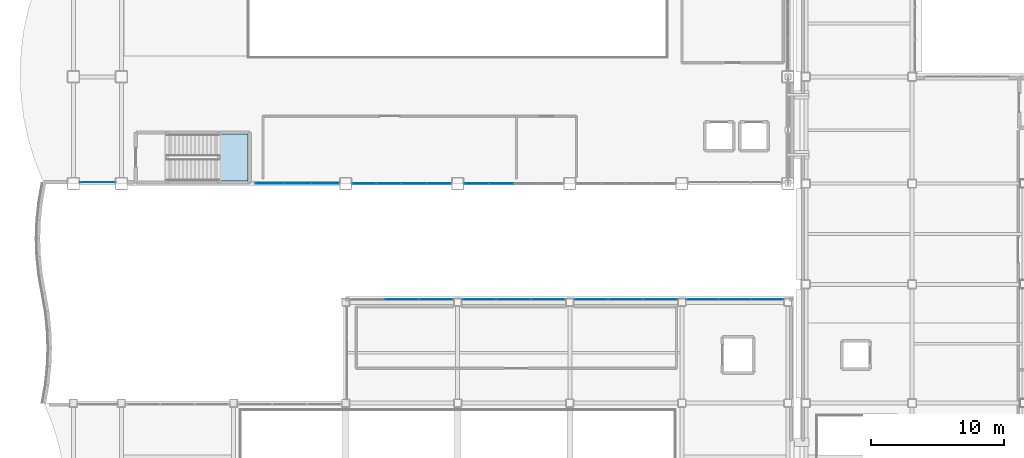
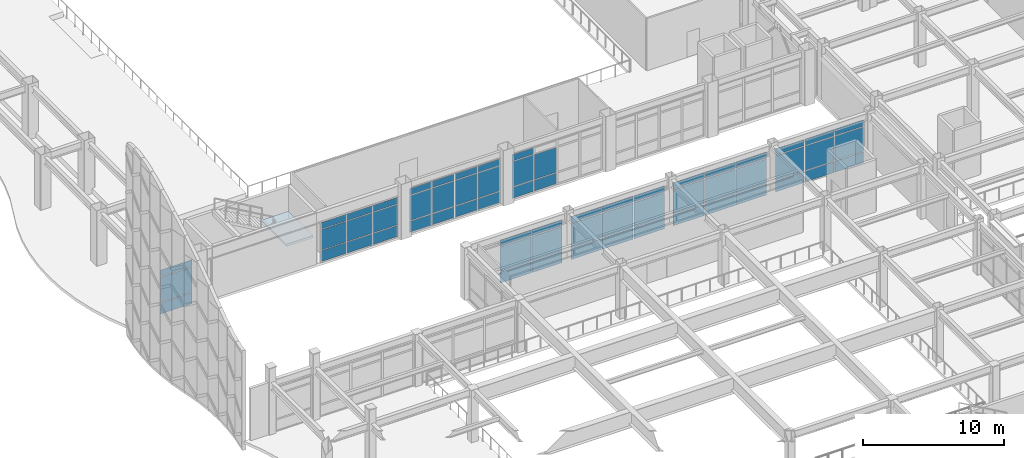
# One storey, part 125 of 172: 62 plates, 1 slab, 9 elements without a shape of their own.
"""IFC4 building model written with IfcOpenShell, lengths in metres."""

from ifc_helpers import new_model, si_unit, direction, frame, origin, origin_2d, place, context, subcontext, project, spatial, polyline, rectangle, outline, extrude, material, layer, layer_set, type_object, element, aggregate, save


model = new_model("IFC4")

# Units and contexts
model_context = context("Model", 3, precision=1e-05, world=origin(), true_north=direction((0.0, 1.0)))
body_context = subcontext(model_context, "Body", "Model", "MODEL_VIEW")
ifc_project = project(units=[si_unit("LENGTHUNIT", "METRE"), si_unit("AREAUNIT", "SQUARE_METRE"), si_unit("VOLUMEUNIT", "CUBIC_METRE"), si_unit("PLANEANGLEUNIT", "RADIAN"), si_unit("MASSUNIT", "GRAM", prefix="KILO")], contexts=[model_context])

# Site, building, storey
site_placement = place(None, origin())
site = spatial("IfcSite", under=ifc_project, at=site_placement, CompositionType="ELEMENT")
building_placement = place(site_placement, origin())
building = spatial("IfcBuilding", under=site, at=building_placement, Name="Kazehara Bluff Congress Hotel", CompositionType="ELEMENT")
storey_placement = place(building_placement, frame((0.0, 0.0, 5.39990234375)))
storey = spatial("IfcBuildingStorey", under=building, at=storey_placement, Name="L01", CompositionType="ELEMENT", Elevation=5.39990234375)

# Curtain wall, plates
ifc_material_1 = material(Name="Anodised aluminium", Category="aluminium")
ifc_layer_1 = layer(ifc_material_1, 0.159912109375)
ifc_layer_set_1 = layer_set([ifc_layer_1], Name="Anodised aluminium")
curtain_wall_type_1 = type_object("IfcCurtainWallType", Name="TP-CW-12", PredefinedType="NOTDEFINED", material=ifc_layer_set_1)
curtain_wall_1_placement = place(storey_placement, origin())
curtain_wall_1 = element("IfcCurtainWall", 1, at=curtain_wall_1_placement, inside=storey, type_object=curtain_wall_type_1, Name="L01 curtain wall CW-12 CW-V1-L01-Y4845-1840", PredefinedType="NOTDEFINED")
ifc_material_2 = material(Name="Insulated low-E double glazing", Category="glass")
ifc_layer_2 = layer(ifc_material_2, 0.028076171875)
ifc_layer_set_2 = layer_set([ifc_layer_2], Name="Insulated low-E double glazing")
plate_type_1 = type_object("IfcPlateType", Name="TP-CWP-01", PredefinedType="CURTAIN_PANEL", material=ifc_layer_set_2)
plate_1_placement = place(storey_placement, frame((19.473388671875, 48.449951171875, 0.06005859375), z_axis=(0.0, 0.0, 1.0), x_axis=(1.0, 0.0, 0.0)))
plate_1 = element("IfcPlate", 2, at=plate_1_placement, type_object=plate_type_1, Name="CW-12 panel 1.1", PredefinedType="CURTAIN_PANEL", context=body_context, shape_type="SweptSolid", body=[
    extrude(rectangle(XDim=2.026611328125, YDim=0.028076171875, at=origin_2d()), origin(), (0.0, 0.0, 1.0), 0.9599609375),
])
plate_2_placement = place(storey_placement, frame((19.473388671875, 48.449951171875, 1.080078125), z_axis=(0.0, 0.0, 1.0), x_axis=(1.0, 0.0, 0.0)))
plate_2 = element("IfcPlate", 3, at=plate_2_placement, type_object=plate_type_1, Name="CW-12 panel 1.2", PredefinedType="CURTAIN_PANEL", context=body_context, shape_type="SweptSolid", body=[
    extrude(rectangle(XDim=2.026611328125, YDim=0.028076171875, at=origin_2d()), origin(), (0.0, 0.0, 1.0), 1.764892578125),
])
plate_3_placement = place(storey_placement, frame((19.473388671875, 48.449951171875, 2.905029296875), z_axis=(0.0, 0.0, 1.0), x_axis=(1.0, 0.0, 0.0)))
plate_3 = element("IfcPlate", 4, at=plate_3_placement, type_object=plate_type_1, Name="CW-12 panel 1.3", PredefinedType="CURTAIN_PANEL", context=body_context, shape_type="SweptSolid", body=[
    extrude(rectangle(XDim=2.026611328125, YDim=0.028076171875, at=origin_2d()), origin(), (0.0, 0.0, 1.0), 0.56005859375),
])
plate_4_placement = place(storey_placement, frame((21.574951171875, 48.449951171875, 0.06005859375), z_axis=(0.0, 0.0, 1.0), x_axis=(1.0, 0.0, 0.0)))
plate_4 = element("IfcPlate", 5, at=plate_4_placement, type_object=plate_type_1, Name="CW-12 panel 2.1", PredefinedType="CURTAIN_PANEL", context=body_context, shape_type="SweptSolid", body=[
    extrude(rectangle(XDim=2.056640625, YDim=0.028076171875, at=origin_2d()), origin(), (0.0, 0.0, 1.0), 0.9599609375),
])
plate_5_placement = place(storey_placement, frame((21.574951171875, 48.449951171875, 1.080078125), z_axis=(0.0, 0.0, 1.0), x_axis=(1.0, 0.0, 0.0)))
plate_5 = element("IfcPlate", 6, at=plate_5_placement, type_object=plate_type_1, Name="CW-12 panel 2.2", PredefinedType="CURTAIN_PANEL", context=body_context, shape_type="SweptSolid", body=[
    extrude(rectangle(XDim=2.056640625, YDim=0.028076171875, at=origin_2d()), origin(), (0.0, 0.0, 1.0), 1.764892578125),
])
plate_6_placement = place(storey_placement, frame((21.574951171875, 48.449951171875, 2.905029296875), z_axis=(0.0, 0.0, 1.0), x_axis=(1.0, 0.0, 0.0)))
plate_6 = element("IfcPlate", 7, at=plate_6_placement, type_object=plate_type_1, Name="CW-12 panel 2.3", PredefinedType="CURTAIN_PANEL", context=body_context, shape_type="SweptSolid", body=[
    extrude(rectangle(XDim=2.056640625, YDim=0.028076171875, at=origin_2d()), origin(), (0.0, 0.0, 1.0), 0.56005859375),
])
plate_7_placement = place(storey_placement, frame((23.6767578125, 48.449951171875, 0.06005859375), z_axis=(0.0, 0.0, 1.0), x_axis=(1.0, 0.0, 0.0)))
plate_7 = element("IfcPlate", 8, at=plate_7_placement, type_object=plate_type_1, Name="CW-12 panel 3.1", PredefinedType="CURTAIN_PANEL", context=body_context, shape_type="SweptSolid", body=[
    extrude(rectangle(XDim=2.026611328125, YDim=0.028076171875, at=origin_2d()), origin(), (0.0, 0.0, 1.0), 0.9599609375),
])
plate_8_placement = place(storey_placement, frame((23.6767578125, 48.449951171875, 1.080078125), z_axis=(0.0, 0.0, 1.0), x_axis=(1.0, 0.0, 0.0)))
plate_8 = element("IfcPlate", 9, at=plate_8_placement, type_object=plate_type_1, Name="CW-12 panel 3.2", PredefinedType="CURTAIN_PANEL", context=body_context, shape_type="SweptSolid", body=[
    extrude(rectangle(XDim=2.026611328125, YDim=0.028076171875, at=origin_2d()), origin(), (0.0, 0.0, 1.0), 1.764892578125),
])
plate_9_placement = place(storey_placement, frame((23.6767578125, 48.449951171875, 2.905029296875), z_axis=(0.0, 0.0, 1.0), x_axis=(1.0, 0.0, 0.0)))
plate_9 = element("IfcPlate", 10, at=plate_9_placement, type_object=plate_type_1, Name="CW-12 panel 3.3", PredefinedType="CURTAIN_PANEL", context=body_context, shape_type="SweptSolid", body=[
    extrude(rectangle(XDim=2.026611328125, YDim=0.028076171875, at=origin_2d()), origin(), (0.0, 0.0, 1.0), 0.56005859375),
])
aggregate(curtain_wall_1, [plate_1, plate_2, plate_3, plate_4, plate_5, plate_6, plate_7, plate_8, plate_9])

ifc_material_3 = material(Name="Anodised aluminium", Category="aluminium")
ifc_layer_3 = layer(ifc_material_3, 0.159912109375)
ifc_layer_set_3 = layer_set([ifc_layer_3], Name="Anodised aluminium")
curtain_wall_type_2 = type_object("IfcCurtainWallType", Name="TP-CW-13", PredefinedType="NOTDEFINED", material=ifc_layer_set_3)
curtain_wall_2_placement = place(storey_placement, origin())
curtain_wall_2 = element("IfcCurtainWall", 11, at=curtain_wall_2_placement, inside=storey, type_object=curtain_wall_type_2, Name="L01 curtain wall CW-13 CW-V1-L01-Y4845-2565", PredefinedType="NOTDEFINED")
plate_10_placement = place(storey_placement, frame((26.603759765625, 48.449951171875, 0.06494140625), z_axis=(0.0, 0.0, 1.0), x_axis=(1.0, 0.0, 0.0)))
plate_10 = element("IfcPlate", 12, at=plate_10_placement, type_object=plate_type_1, Name="CW-13 panel 1.1", PredefinedType="CURTAIN_PANEL", context=body_context, shape_type="SweptSolid", body=[
    extrude(rectangle(XDim=1.777587890625, YDim=0.028076171875, at=origin_2d()), origin(), (0.0, 0.0, 1.0), 0.952392578125),
])
plate_11_placement = place(storey_placement, frame((26.603759765625, 48.449951171875, 1.08251953125), z_axis=(0.0, 0.0, 1.0), x_axis=(1.0, 0.0, 0.0)))
plate_11 = element("IfcPlate", 13, at=plate_11_placement, type_object=plate_type_1, Name="CW-13 panel 1.2", PredefinedType="CURTAIN_PANEL", context=body_context, shape_type="SweptSolid", body=[
    extrude(rectangle(XDim=1.777587890625, YDim=0.028076171875, at=origin_2d()), origin(), (0.0, 0.0, 1.0), 2.159912109375),
])
plate_12_placement = place(storey_placement, frame((26.603759765625, 48.449951171875, 3.3076171875), z_axis=(0.0, 0.0, 1.0), x_axis=(1.0, 0.0, 0.0)))
plate_12 = element("IfcPlate", 14, at=plate_12_placement, type_object=plate_type_1, Name="CW-13 panel 1.3", PredefinedType="CURTAIN_PANEL", context=body_context, shape_type="SweptSolid", body=[
    extrude(rectangle(XDim=1.777587890625, YDim=0.028076171875, at=origin_2d()), origin(), (0.0, 0.0, 1.0), 0.552490234375),
])
plate_13_placement = place(storey_placement, frame((28.46240234375, 48.449951171875, 0.06494140625), z_axis=(0.0, 0.0, 1.0), x_axis=(1.0, 0.0, 0.0)))
plate_13 = element("IfcPlate", 15, at=plate_13_placement, type_object=plate_type_1, Name="CW-13 panel 2.1", PredefinedType="CURTAIN_PANEL", context=body_context, shape_type="SweptSolid", body=[
    extrude(rectangle(XDim=1.81005859375, YDim=0.028076171875, at=origin_2d()), origin(), (0.0, 0.0, 1.0), 0.952392578125),
])
plate_14_placement = place(storey_placement, frame((28.46240234375, 48.449951171875, 1.08251953125), z_axis=(0.0, 0.0, 1.0), x_axis=(1.0, 0.0, 0.0)))
plate_14 = element("IfcPlate", 16, at=plate_14_placement, type_object=plate_type_1, Name="CW-13 panel 2.2", PredefinedType="CURTAIN_PANEL", context=body_context, shape_type="SweptSolid", body=[
    extrude(rectangle(XDim=1.81005859375, YDim=0.028076171875, at=origin_2d()), origin(), (0.0, 0.0, 1.0), 2.159912109375),
])
plate_15_placement = place(storey_placement, frame((28.46240234375, 48.449951171875, 3.3076171875), z_axis=(0.0, 0.0, 1.0), x_axis=(1.0, 0.0, 0.0)))
plate_15 = element("IfcPlate", 17, at=plate_15_placement, type_object=plate_type_1, Name="CW-13 panel 2.3", PredefinedType="CURTAIN_PANEL", context=body_context, shape_type="SweptSolid", body=[
    extrude(rectangle(XDim=1.81005859375, YDim=0.028076171875, at=origin_2d()), origin(), (0.0, 0.0, 1.0), 0.552490234375),
])
plate_16_placement = place(storey_placement, frame((30.33740234375, 48.449951171875, 0.06494140625), z_axis=(0.0, 0.0, 1.0), x_axis=(1.0, 0.0, 0.0)))
plate_16 = element("IfcPlate", 18, at=plate_16_placement, type_object=plate_type_1, Name="CW-13 panel 3.1", PredefinedType="CURTAIN_PANEL", context=body_context, shape_type="SweptSolid", body=[
    extrude(rectangle(XDim=1.81005859375, YDim=0.028076171875, at=origin_2d()), origin(), (0.0, 0.0, 1.0), 0.952392578125),
])
plate_17_placement = place(storey_placement, frame((30.33740234375, 48.449951171875, 1.08251953125), z_axis=(0.0, 0.0, 1.0), x_axis=(1.0, 0.0, 0.0)))
plate_17 = element("IfcPlate", 19, at=plate_17_placement, type_object=plate_type_1, Name="CW-13 panel 3.2", PredefinedType="CURTAIN_PANEL", context=body_context, shape_type="SweptSolid", body=[
    extrude(rectangle(XDim=1.81005859375, YDim=0.028076171875, at=origin_2d()), origin(), (0.0, 0.0, 1.0), 2.159912109375),
])
plate_18_placement = place(storey_placement, frame((30.33740234375, 48.449951171875, 3.3076171875), z_axis=(0.0, 0.0, 1.0), x_axis=(1.0, 0.0, 0.0)))
plate_18 = element("IfcPlate", 20, at=plate_18_placement, type_object=plate_type_1, Name="CW-13 panel 3.3", PredefinedType="CURTAIN_PANEL", context=body_context, shape_type="SweptSolid", body=[
    extrude(rectangle(XDim=1.81005859375, YDim=0.028076171875, at=origin_2d()), origin(), (0.0, 0.0, 1.0), 0.552490234375),
])
plate_19_placement = place(storey_placement, frame((32.1962890625, 48.449951171875, 0.06494140625), z_axis=(0.0, 0.0, 1.0), x_axis=(1.0, 0.0, 0.0)))
plate_19 = element("IfcPlate", 21, at=plate_19_placement, type_object=plate_type_1, Name="CW-13 panel 4.1", PredefinedType="CURTAIN_PANEL", context=body_context, shape_type="SweptSolid", body=[
    extrude(rectangle(XDim=1.777587890625, YDim=0.028076171875, at=origin_2d()), origin(), (0.0, 0.0, 1.0), 0.952392578125),
])
plate_20_placement = place(storey_placement, frame((32.1962890625, 48.449951171875, 1.08251953125), z_axis=(0.0, 0.0, 1.0), x_axis=(1.0, 0.0, 0.0)))
plate_20 = element("IfcPlate", 22, at=plate_20_placement, type_object=plate_type_1, Name="CW-13 panel 4.2", PredefinedType="CURTAIN_PANEL", context=body_context, shape_type="SweptSolid", body=[
    extrude(rectangle(XDim=1.777587890625, YDim=0.028076171875, at=origin_2d()), origin(), (0.0, 0.0, 1.0), 2.159912109375),
])
plate_21_placement = place(storey_placement, frame((32.1962890625, 48.449951171875, 3.3076171875), z_axis=(0.0, 0.0, 1.0), x_axis=(1.0, 0.0, 0.0)))
plate_21 = element("IfcPlate", 23, at=plate_21_placement, type_object=plate_type_1, Name="CW-13 panel 4.3", PredefinedType="CURTAIN_PANEL", context=body_context, shape_type="SweptSolid", body=[
    extrude(rectangle(XDim=1.777587890625, YDim=0.028076171875, at=origin_2d()), origin(), (0.0, 0.0, 1.0), 0.552490234375),
])
aggregate(curtain_wall_2, [plate_10, plate_11, plate_12, plate_13, plate_14, plate_15, plate_16, plate_17, plate_18, plate_19, plate_20, plate_21])

curtain_wall_3_placement = place(storey_placement, origin())
curtain_wall_3 = element("IfcCurtainWall", 24, at=curtain_wall_3_placement, inside=storey, type_object=curtain_wall_type_2, Name="L01 curtain wall CW-13 CW-V1-L01-Y4845-3405", PredefinedType="NOTDEFINED")
plate_22_placement = place(storey_placement, frame((35.003662109375, 48.449951171875, 0.06494140625), z_axis=(0.0, 0.0, 1.0), x_axis=(1.0, 0.0, 0.0)))
plate_22 = element("IfcPlate", 25, at=plate_22_placement, type_object=plate_type_1, Name="CW-13 panel 1.1", PredefinedType="CURTAIN_PANEL", context=body_context, shape_type="SweptSolid", body=[
    extrude(rectangle(XDim=1.777587890625, YDim=0.028076171875, at=origin_2d()), origin(), (0.0, 0.0, 1.0), 0.952392578125),
])
plate_23_placement = place(storey_placement, frame((35.003662109375, 48.449951171875, 1.08251953125), z_axis=(0.0, 0.0, 1.0), x_axis=(1.0, 0.0, 0.0)))
plate_23 = element("IfcPlate", 26, at=plate_23_placement, type_object=plate_type_1, Name="CW-13 panel 1.2", PredefinedType="CURTAIN_PANEL", context=body_context, shape_type="SweptSolid", body=[
    extrude(rectangle(XDim=1.777587890625, YDim=0.028076171875, at=origin_2d()), origin(), (0.0, 0.0, 1.0), 2.159912109375),
])
plate_24_placement = place(storey_placement, frame((35.003662109375, 48.449951171875, 3.3076171875), z_axis=(0.0, 0.0, 1.0), x_axis=(1.0, 0.0, 0.0)))
plate_24 = element("IfcPlate", 27, at=plate_24_placement, type_object=plate_type_1, Name="CW-13 panel 1.3", PredefinedType="CURTAIN_PANEL", context=body_context, shape_type="SweptSolid", body=[
    extrude(rectangle(XDim=1.777587890625, YDim=0.028076171875, at=origin_2d()), origin(), (0.0, 0.0, 1.0), 0.552490234375),
])
plate_25_placement = place(storey_placement, frame((36.862548828125, 48.449951171875, 0.06494140625), z_axis=(0.0, 0.0, 1.0), x_axis=(1.0, 0.0, 0.0)))
plate_25 = element("IfcPlate", 28, at=plate_25_placement, type_object=plate_type_1, Name="CW-13 panel 2.1", PredefinedType="CURTAIN_PANEL", context=body_context, shape_type="SweptSolid", body=[
    extrude(rectangle(XDim=1.81005859375, YDim=0.028076171875, at=origin_2d()), origin(), (0.0, 0.0, 1.0), 0.952392578125),
])
plate_26_placement = place(storey_placement, frame((36.862548828125, 48.449951171875, 1.08251953125), z_axis=(0.0, 0.0, 1.0), x_axis=(1.0, 0.0, 0.0)))
plate_26 = element("IfcPlate", 29, at=plate_26_placement, type_object=plate_type_1, Name="CW-13 panel 2.2", PredefinedType="CURTAIN_PANEL", context=body_context, shape_type="SweptSolid", body=[
    extrude(rectangle(XDim=1.81005859375, YDim=0.028076171875, at=origin_2d()), origin(), (0.0, 0.0, 1.0), 2.159912109375),
])
aggregate(curtain_wall_3, [plate_22, plate_23, plate_24, plate_25, plate_26])

ifc_material_4 = material(Name="Anodised aluminium", Category="aluminium")
ifc_layer_4 = layer(ifc_material_4, 0.159912109375)
ifc_layer_set_4 = layer_set([ifc_layer_4], Name="Anodised aluminium")
curtain_wall_type_3 = type_object("IfcCurtainWallType", Name="TP-CW-29", PredefinedType="NOTDEFINED", material=ifc_layer_set_4)
curtain_wall_4_placement = place(storey_placement, origin())
curtain_wall_4 = element("IfcCurtainWall", 30, at=curtain_wall_4_placement, inside=storey, type_object=curtain_wall_type_3, Name="L01 curtain wall CW-29 CW-ENC-V2-L01-2940-3978", PredefinedType="NOTDEFINED")
plate_27_placement = place(storey_placement, frame((29.39990234375, 39.780029296875, 0.06494140625), z_axis=(0.0, 0.0, 1.0), x_axis=(1.0, 0.0, 0.0)))
plate_27 = element("IfcPlate", 31, at=plate_27_placement, type_object=plate_type_1, Name="CW-29 panel 2.1", PredefinedType="CURTAIN_PANEL", context=body_context, shape_type="SweptSolid", body=[
    extrude(rectangle(XDim=2.534912109375, YDim=0.028076171875, at=origin_2d()), origin(), (0.0, 0.0, 1.0), 0.952392578125),
])
plate_28_placement = place(storey_placement, frame((29.39990234375, 39.780029296875, 1.08251953125), z_axis=(0.0, 0.0, 1.0), x_axis=(1.0, 0.0, 0.0)))
plate_28 = element("IfcPlate", 32, at=plate_28_placement, type_object=plate_type_1, Name="CW-29 panel 2.2", PredefinedType="CURTAIN_PANEL", context=body_context, shape_type="SweptSolid", body=[
    extrude(rectangle(XDim=2.534912109375, YDim=0.028076171875, at=origin_2d()), origin(), (0.0, 0.0, 1.0), 2.110107421875),
])
plate_29_placement = place(storey_placement, frame((29.39990234375, 39.780029296875, 3.2578125), z_axis=(0.0, 0.0, 1.0), x_axis=(1.0, 0.0, 0.0)))
plate_29 = element("IfcPlate", 33, at=plate_29_placement, type_object=plate_type_1, Name="CW-29 panel 2.3", PredefinedType="CURTAIN_PANEL", context=body_context, shape_type="SweptSolid", body=[
    extrude(rectangle(XDim=2.534912109375, YDim=0.028076171875, at=origin_2d()), origin(), (0.0, 0.0, 1.0), 0.552490234375),
])
plate_30_placement = place(storey_placement, frame((31.983642578125, 39.780029296875, 0.06494140625), z_axis=(0.0, 0.0, 1.0), x_axis=(1.0, 0.0, 0.0)))
plate_30 = element("IfcPlate", 34, at=plate_30_placement, type_object=plate_type_1, Name="CW-29 panel 3.1", PredefinedType="CURTAIN_PANEL", context=body_context, shape_type="SweptSolid", body=[
    extrude(rectangle(XDim=2.50244140625, YDim=0.028076171875, at=origin_2d()), origin(), (0.0, 0.0, 1.0), 0.952392578125),
])
plate_31_placement = place(storey_placement, frame((31.983642578125, 39.780029296875, 1.08251953125), z_axis=(0.0, 0.0, 1.0), x_axis=(1.0, 0.0, 0.0)))
plate_31 = element("IfcPlate", 35, at=plate_31_placement, type_object=plate_type_1, Name="CW-29 panel 3.2", PredefinedType="CURTAIN_PANEL", context=body_context, shape_type="SweptSolid", body=[
    extrude(rectangle(XDim=2.50244140625, YDim=0.028076171875, at=origin_2d()), origin(), (0.0, 0.0, 1.0), 2.110107421875),
])
plate_32_placement = place(storey_placement, frame((31.983642578125, 39.780029296875, 3.2578125), z_axis=(0.0, 0.0, 1.0), x_axis=(1.0, 0.0, 0.0)))
plate_32 = element("IfcPlate", 36, at=plate_32_placement, type_object=plate_type_1, Name="CW-29 panel 3.3", PredefinedType="CURTAIN_PANEL", context=body_context, shape_type="SweptSolid", body=[
    extrude(rectangle(XDim=2.50244140625, YDim=0.028076171875, at=origin_2d()), origin(), (0.0, 0.0, 1.0), 0.552490234375),
])
aggregate(curtain_wall_4, [plate_27, plate_28, plate_29, plate_30, plate_31, plate_32])

curtain_wall_5_placement = place(storey_placement, origin())
curtain_wall_5 = element("IfcCurtainWall", 37, at=curtain_wall_5_placement, inside=storey, type_object=curtain_wall_type_3, Name="L01 curtain wall CW-29 CW-ENC-V2-L01-3780-3978", PredefinedType="NOTDEFINED")
plate_33_placement = place(storey_placement, frame((35.21630859375, 39.780029296875, 0.06494140625), z_axis=(0.0, 0.0, 1.0), x_axis=(1.0, 0.0, 0.0)))
plate_33 = element("IfcPlate", 38, at=plate_33_placement, type_object=plate_type_1, Name="CW-29 panel 1.1", PredefinedType="CURTAIN_PANEL", context=body_context, shape_type="SweptSolid", body=[
    extrude(rectangle(XDim=2.50244140625, YDim=0.028076171875, at=origin_2d()), origin(), (0.0, 0.0, 1.0), 0.952392578125),
])
plate_34_placement = place(storey_placement, frame((35.21630859375, 39.780029296875, 1.08251953125), z_axis=(0.0, 0.0, 1.0), x_axis=(1.0, 0.0, 0.0)))
plate_34 = element("IfcPlate", 39, at=plate_34_placement, type_object=plate_type_1, Name="CW-29 panel 1.2", PredefinedType="CURTAIN_PANEL", context=body_context, shape_type="SweptSolid", body=[
    extrude(rectangle(XDim=2.50244140625, YDim=0.028076171875, at=origin_2d()), origin(), (0.0, 0.0, 1.0), 2.110107421875),
])
plate_35_placement = place(storey_placement, frame((35.21630859375, 39.780029296875, 3.2578125), z_axis=(0.0, 0.0, 1.0), x_axis=(1.0, 0.0, 0.0)))
plate_35 = element("IfcPlate", 40, at=plate_35_placement, type_object=plate_type_1, Name="CW-29 panel 1.3", PredefinedType="CURTAIN_PANEL", context=body_context, shape_type="SweptSolid", body=[
    extrude(rectangle(XDim=2.50244140625, YDim=0.028076171875, at=origin_2d()), origin(), (0.0, 0.0, 1.0), 0.552490234375),
])
plate_36_placement = place(storey_placement, frame((37.800048828125, 39.780029296875, 0.06494140625), z_axis=(0.0, 0.0, 1.0), x_axis=(1.0, 0.0, 0.0)))
plate_36 = element("IfcPlate", 41, at=plate_36_placement, type_object=plate_type_1, Name="CW-29 panel 2.1", PredefinedType="CURTAIN_PANEL", context=body_context, shape_type="SweptSolid", body=[
    extrude(rectangle(XDim=2.534912109375, YDim=0.028076171875, at=origin_2d()), origin(), (0.0, 0.0, 1.0), 0.952392578125),
])
plate_37_placement = place(storey_placement, frame((37.800048828125, 39.780029296875, 1.08251953125), z_axis=(0.0, 0.0, 1.0), x_axis=(1.0, 0.0, 0.0)))
plate_37 = element("IfcPlate", 42, at=plate_37_placement, type_object=plate_type_1, Name="CW-29 panel 2.2", PredefinedType="CURTAIN_PANEL", context=body_context, shape_type="SweptSolid", body=[
    extrude(rectangle(XDim=2.534912109375, YDim=0.028076171875, at=origin_2d()), origin(), (0.0, 0.0, 1.0), 2.110107421875),
])
plate_38_placement = place(storey_placement, frame((37.800048828125, 39.780029296875, 3.2578125), z_axis=(0.0, 0.0, 1.0), x_axis=(1.0, 0.0, 0.0)))
plate_38 = element("IfcPlate", 43, at=plate_38_placement, type_object=plate_type_1, Name="CW-29 panel 2.3", PredefinedType="CURTAIN_PANEL", context=body_context, shape_type="SweptSolid", body=[
    extrude(rectangle(XDim=2.534912109375, YDim=0.028076171875, at=origin_2d()), origin(), (0.0, 0.0, 1.0), 0.552490234375),
])
plate_39_placement = place(storey_placement, frame((40.3837890625, 39.780029296875, 0.06494140625), z_axis=(0.0, 0.0, 1.0), x_axis=(1.0, 0.0, 0.0)))
plate_39 = element("IfcPlate", 44, at=plate_39_placement, type_object=plate_type_1, Name="CW-29 panel 3.1", PredefinedType="CURTAIN_PANEL", context=body_context, shape_type="SweptSolid", body=[
    extrude(rectangle(XDim=2.50244140625, YDim=0.028076171875, at=origin_2d()), origin(), (0.0, 0.0, 1.0), 0.952392578125),
])
plate_40_placement = place(storey_placement, frame((40.3837890625, 39.780029296875, 1.08251953125), z_axis=(0.0, 0.0, 1.0), x_axis=(1.0, 0.0, 0.0)))
plate_40 = element("IfcPlate", 45, at=plate_40_placement, type_object=plate_type_1, Name="CW-29 panel 3.2", PredefinedType="CURTAIN_PANEL", context=body_context, shape_type="SweptSolid", body=[
    extrude(rectangle(XDim=2.50244140625, YDim=0.028076171875, at=origin_2d()), origin(), (0.0, 0.0, 1.0), 2.110107421875),
])
plate_41_placement = place(storey_placement, frame((40.3837890625, 39.780029296875, 3.2578125), z_axis=(0.0, 0.0, 1.0), x_axis=(1.0, 0.0, 0.0)))
plate_41 = element("IfcPlate", 46, at=plate_41_placement, type_object=plate_type_1, Name="CW-29 panel 3.3", PredefinedType="CURTAIN_PANEL", context=body_context, shape_type="SweptSolid", body=[
    extrude(rectangle(XDim=2.50244140625, YDim=0.028076171875, at=origin_2d()), origin(), (0.0, 0.0, 1.0), 0.552490234375),
])
aggregate(curtain_wall_5, [plate_33, plate_34, plate_35, plate_36, plate_37, plate_38, plate_39, plate_40, plate_41])

curtain_wall_6_placement = place(storey_placement, origin())
curtain_wall_6 = element("IfcCurtainWall", 47, at=curtain_wall_6_placement, inside=storey, type_object=curtain_wall_type_3, Name="L01 curtain wall CW-29 CW-ENC-V2-L01-4620-3978", PredefinedType="NOTDEFINED")
plate_42_placement = place(storey_placement, frame((43.6162109375, 39.780029296875, 0.06494140625), z_axis=(0.0, 0.0, 1.0), x_axis=(1.0, 0.0, 0.0)))
plate_42 = element("IfcPlate", 48, at=plate_42_placement, type_object=plate_type_1, Name="CW-29 panel 1.1", PredefinedType="CURTAIN_PANEL", context=body_context, shape_type="SweptSolid", body=[
    extrude(rectangle(XDim=2.50244140625, YDim=0.028076171875, at=origin_2d()), origin(), (0.0, 0.0, 1.0), 0.952392578125),
])
plate_43_placement = place(storey_placement, frame((43.6162109375, 39.780029296875, 1.08251953125), z_axis=(0.0, 0.0, 1.0), x_axis=(1.0, 0.0, 0.0)))
plate_43 = element("IfcPlate", 49, at=plate_43_placement, type_object=plate_type_1, Name="CW-29 panel 1.2", PredefinedType="CURTAIN_PANEL", context=body_context, shape_type="SweptSolid", body=[
    extrude(rectangle(XDim=2.50244140625, YDim=0.028076171875, at=origin_2d()), origin(), (0.0, 0.0, 1.0), 2.110107421875),
])
plate_44_placement = place(storey_placement, frame((43.6162109375, 39.780029296875, 3.2578125), z_axis=(0.0, 0.0, 1.0), x_axis=(1.0, 0.0, 0.0)))
plate_44 = element("IfcPlate", 50, at=plate_44_placement, type_object=plate_type_1, Name="CW-29 panel 1.3", PredefinedType="CURTAIN_PANEL", context=body_context, shape_type="SweptSolid", body=[
    extrude(rectangle(XDim=2.50244140625, YDim=0.028076171875, at=origin_2d()), origin(), (0.0, 0.0, 1.0), 0.552490234375),
])
plate_45_placement = place(storey_placement, frame((46.199951171875, 39.780029296875, 0.06494140625), z_axis=(0.0, 0.0, 1.0), x_axis=(1.0, 0.0, 0.0)))
plate_45 = element("IfcPlate", 51, at=plate_45_placement, type_object=plate_type_1, Name="CW-29 panel 2.1", PredefinedType="CURTAIN_PANEL", context=body_context, shape_type="SweptSolid", body=[
    extrude(rectangle(XDim=2.534912109375, YDim=0.028076171875, at=origin_2d()), origin(), (0.0, 0.0, 1.0), 0.952392578125),
])
plate_46_placement = place(storey_placement, frame((46.199951171875, 39.780029296875, 1.08251953125), z_axis=(0.0, 0.0, 1.0), x_axis=(1.0, 0.0, 0.0)))
plate_46 = element("IfcPlate", 52, at=plate_46_placement, type_object=plate_type_1, Name="CW-29 panel 2.2", PredefinedType="CURTAIN_PANEL", context=body_context, shape_type="SweptSolid", body=[
    extrude(rectangle(XDim=2.534912109375, YDim=0.028076171875, at=origin_2d()), origin(), (0.0, 0.0, 1.0), 2.110107421875),
])
plate_47_placement = place(storey_placement, frame((46.199951171875, 39.780029296875, 3.2578125), z_axis=(0.0, 0.0, 1.0), x_axis=(1.0, 0.0, 0.0)))
plate_47 = element("IfcPlate", 53, at=plate_47_placement, type_object=plate_type_1, Name="CW-29 panel 2.3", PredefinedType="CURTAIN_PANEL", context=body_context, shape_type="SweptSolid", body=[
    extrude(rectangle(XDim=2.534912109375, YDim=0.028076171875, at=origin_2d()), origin(), (0.0, 0.0, 1.0), 0.552490234375),
])
plate_48_placement = place(storey_placement, frame((48.78369140625, 39.780029296875, 0.06494140625), z_axis=(0.0, 0.0, 1.0), x_axis=(1.0, 0.0, 0.0)))
plate_48 = element("IfcPlate", 54, at=plate_48_placement, type_object=plate_type_1, Name="CW-29 panel 3.1", PredefinedType="CURTAIN_PANEL", context=body_context, shape_type="SweptSolid", body=[
    extrude(rectangle(XDim=2.50244140625, YDim=0.028076171875, at=origin_2d()), origin(), (0.0, 0.0, 1.0), 0.952392578125),
])
plate_49_placement = place(storey_placement, frame((48.78369140625, 39.780029296875, 1.08251953125), z_axis=(0.0, 0.0, 1.0), x_axis=(1.0, 0.0, 0.0)))
plate_49 = element("IfcPlate", 55, at=plate_49_placement, type_object=plate_type_1, Name="CW-29 panel 3.2", PredefinedType="CURTAIN_PANEL", context=body_context, shape_type="SweptSolid", body=[
    extrude(rectangle(XDim=2.50244140625, YDim=0.028076171875, at=origin_2d()), origin(), (0.0, 0.0, 1.0), 2.110107421875),
])
plate_50_placement = place(storey_placement, frame((48.78369140625, 39.780029296875, 3.2578125), z_axis=(0.0, 0.0, 1.0), x_axis=(1.0, 0.0, 0.0)))
plate_50 = element("IfcPlate", 56, at=plate_50_placement, type_object=plate_type_1, Name="CW-29 panel 3.3", PredefinedType="CURTAIN_PANEL", context=body_context, shape_type="SweptSolid", body=[
    extrude(rectangle(XDim=2.50244140625, YDim=0.028076171875, at=origin_2d()), origin(), (0.0, 0.0, 1.0), 0.552490234375),
])
aggregate(curtain_wall_6, [plate_42, plate_43, plate_44, plate_45, plate_46, plate_47, plate_48, plate_49, plate_50])

ifc_material_5 = material(Name="Anodised aluminium", Category="aluminium")
ifc_layer_5 = layer(ifc_material_5, 0.159912109375)
ifc_layer_set_5 = layer_set([ifc_layer_5], Name="Anodised aluminium")
curtain_wall_type_4 = type_object("IfcCurtainWallType", Name="TP-CW-56", PredefinedType="NOTDEFINED", material=ifc_layer_set_5)
curtain_wall_7_placement = place(storey_placement, origin())
curtain_wall_7 = element("IfcCurtainWall", 57, at=curtain_wall_7_placement, inside=storey, type_object=curtain_wall_type_4, Name="L01 curtain wall CW-56 CW-ENC-V2-L01-5438-3978", PredefinedType="NOTDEFINED")
plate_51_placement = place(storey_placement, frame((51.941162109375, 39.780029296875, 0.06494140625), z_axis=(0.0, 0.0, 1.0), x_axis=(1.0, 0.0, 0.0)))
plate_51 = element("IfcPlate", 58, at=plate_51_placement, type_object=plate_type_1, Name="CW-56 panel 1.1", PredefinedType="CURTAIN_PANEL", context=body_context, shape_type="SweptSolid", body=[
    extrude(rectangle(XDim=2.3525390625, YDim=0.028076171875, at=origin_2d()), origin(), (0.0, 0.0, 1.0), 0.952392578125),
])
plate_52_placement = place(storey_placement, frame((51.941162109375, 39.780029296875, 1.08251953125), z_axis=(0.0, 0.0, 1.0), x_axis=(1.0, 0.0, 0.0)))
plate_52 = element("IfcPlate", 59, at=plate_52_placement, type_object=plate_type_1, Name="CW-56 panel 1.2", PredefinedType="CURTAIN_PANEL", context=body_context, shape_type="SweptSolid", body=[
    extrude(rectangle(XDim=2.3525390625, YDim=0.028076171875, at=origin_2d()), origin(), (0.0, 0.0, 1.0), 2.110107421875),
])
plate_53_placement = place(storey_placement, frame((51.941162109375, 39.780029296875, 3.2578125), z_axis=(0.0, 0.0, 1.0), x_axis=(1.0, 0.0, 0.0)))
plate_53 = element("IfcPlate", 60, at=plate_53_placement, type_object=plate_type_1, Name="CW-56 panel 1.3", PredefinedType="CURTAIN_PANEL", context=body_context, shape_type="SweptSolid", body=[
    extrude(rectangle(XDim=2.3525390625, YDim=0.028076171875, at=origin_2d()), origin(), (0.0, 0.0, 1.0), 0.552490234375),
])
plate_54_placement = place(storey_placement, frame((54.375, 39.780029296875, 0.06494140625), z_axis=(0.0, 0.0, 1.0), x_axis=(1.0, 0.0, 0.0)))
plate_54 = element("IfcPlate", 61, at=plate_54_placement, type_object=plate_type_1, Name="CW-56 panel 2.1", PredefinedType="CURTAIN_PANEL", context=body_context, shape_type="SweptSolid", body=[
    extrude(rectangle(XDim=2.385009765625, YDim=0.028076171875, at=origin_2d()), origin(), (0.0, 0.0, 1.0), 0.952392578125),
])
plate_55_placement = place(storey_placement, frame((54.375, 39.780029296875, 1.08251953125), z_axis=(0.0, 0.0, 1.0), x_axis=(1.0, 0.0, 0.0)))
plate_55 = element("IfcPlate", 62, at=plate_55_placement, type_object=plate_type_1, Name="CW-56 panel 2.2", PredefinedType="CURTAIN_PANEL", context=body_context, shape_type="SweptSolid", body=[
    extrude(rectangle(XDim=2.385009765625, YDim=0.028076171875, at=origin_2d()), origin(), (0.0, 0.0, 1.0), 2.110107421875),
])
plate_56_placement = place(storey_placement, frame((54.375, 39.780029296875, 3.2578125), z_axis=(0.0, 0.0, 1.0), x_axis=(1.0, 0.0, 0.0)))
plate_56 = element("IfcPlate", 63, at=plate_56_placement, type_object=plate_type_1, Name="CW-56 panel 2.3", PredefinedType="CURTAIN_PANEL", context=body_context, shape_type="SweptSolid", body=[
    extrude(rectangle(XDim=2.385009765625, YDim=0.028076171875, at=origin_2d()), origin(), (0.0, 0.0, 1.0), 0.552490234375),
])
plate_57_placement = place(storey_placement, frame((56.808837890625, 39.780029296875, 0.06494140625), z_axis=(0.0, 0.0, 1.0), x_axis=(1.0, 0.0, 0.0)))
plate_57 = element("IfcPlate", 64, at=plate_57_placement, type_object=plate_type_1, Name="CW-56 panel 3.1", PredefinedType="CURTAIN_PANEL", context=body_context, shape_type="SweptSolid", body=[
    extrude(rectangle(XDim=2.3525390625, YDim=0.028076171875, at=origin_2d()), origin(), (0.0, 0.0, 1.0), 0.952392578125),
])
plate_58_placement = place(storey_placement, frame((56.808837890625, 39.780029296875, 1.08251953125), z_axis=(0.0, 0.0, 1.0), x_axis=(1.0, 0.0, 0.0)))
plate_58 = element("IfcPlate", 65, at=plate_58_placement, type_object=plate_type_1, Name="CW-56 panel 3.2", PredefinedType="CURTAIN_PANEL", context=body_context, shape_type="SweptSolid", body=[
    extrude(rectangle(XDim=2.3525390625, YDim=0.028076171875, at=origin_2d()), origin(), (0.0, 0.0, 1.0), 2.110107421875),
])
plate_59_placement = place(storey_placement, frame((56.808837890625, 39.780029296875, 3.2578125), z_axis=(0.0, 0.0, 1.0), x_axis=(1.0, 0.0, 0.0)))
plate_59 = element("IfcPlate", 66, at=plate_59_placement, type_object=plate_type_1, Name="CW-56 panel 3.3", PredefinedType="CURTAIN_PANEL", context=body_context, shape_type="SweptSolid", body=[
    extrude(rectangle(XDim=2.3525390625, YDim=0.028076171875, at=origin_2d()), origin(), (0.0, 0.0, 1.0), 0.552490234375),
])
aggregate(curtain_wall_7, [plate_51, plate_52, plate_53, plate_54, plate_55, plate_56, plate_57, plate_58, plate_59])

ifc_material_6 = material(Name="Anodised aluminium", Category="aluminium")
ifc_layer_6 = layer(ifc_material_6, 0.159912109375)
ifc_layer_set_6 = layer_set([ifc_layer_6], Name="Anodised aluminium")
curtain_wall_type_5 = type_object("IfcCurtainWallType", Name="TP-CW-108", PredefinedType="NOTDEFINED", material=ifc_layer_set_6)
curtain_wall_8_placement = place(storey_placement, origin())
curtain_wall_8 = element("IfcCurtainWall", 67, at=curtain_wall_8_placement, inside=storey, type_object=curtain_wall_type_5, Name="L01 curtain wall CW-108 CW-ENC-V1-L01-660-4855", PredefinedType="NOTDEFINED")
ifc_material_7 = material(Name="Insulated low-E double glazing", Category="glass")
ifc_layer_7 = layer(ifc_material_7, 0.02001953125)
ifc_layer_set_7 = layer_set([ifc_layer_7], Name="Insulated low-E double glazing")
plate_type_2 = type_object("IfcPlateType", Name="TP-CWP-03", PredefinedType="CURTAIN_PANEL", material=ifc_layer_set_7)
plate_60_placement = place(storey_placement, frame((6.60009765625, 48.550048828125, 0.06005859375), z_axis=(0.0, 0.0, 1.0), x_axis=(-1.0, 0.0, 0.0)))
plate_60 = element("IfcPlate", 68, at=plate_60_placement, type_object=plate_type_2, Name="CW-108 panel 1.1", PredefinedType="CURTAIN_PANEL", context=body_context, shape_type="SweptSolid", body=[
    extrude(rectangle(XDim=2.580078125, YDim=0.02001953125, at=origin_2d()), origin(), (0.0, 0.0, 1.0), 0.9599609375),
])
plate_61_placement = place(storey_placement, frame((6.60009765625, 48.550048828125, 1.080078125), z_axis=(0.0, 0.0, 1.0), x_axis=(-1.0, 0.0, 0.0)))
plate_61 = element("IfcPlate", 69, at=plate_61_placement, type_object=plate_type_2, Name="CW-108 panel 1.2", PredefinedType="CURTAIN_PANEL", context=body_context, shape_type="SweptSolid", body=[
    extrude(rectangle(XDim=2.580078125, YDim=0.02001953125, at=origin_2d()), origin(), (0.0, 0.0, 1.0), 2.1650390625),
])
plate_62_placement = place(storey_placement, frame((6.60009765625, 48.550048828125, 3.30517578125), z_axis=(0.0, 0.0, 1.0), x_axis=(-1.0, 0.0, 0.0)))
plate_62 = element("IfcPlate", 70, at=plate_62_placement, type_object=plate_type_2, Name="CW-108 panel 1.3", PredefinedType="CURTAIN_PANEL", context=body_context, shape_type="SweptSolid", body=[
    extrude(rectangle(XDim=2.580078125, YDim=0.02001953125, at=origin_2d()), origin(), (0.0, 0.0, 1.0), 0.56005859375),
])
aggregate(curtain_wall_8, [plate_60, plate_61, plate_62])

# Stair, slab
ifc_material_8 = material(Name="Concrete C36/45", Category="concrete")
stair_type = type_object("IfcStairType", Name="TP-ST-T02", PredefinedType="HALF_TURN_STAIR", material=ifc_material_8)
stair_placement = place(storey_placement, origin())
stair = element("IfcStair", 71, at=stair_placement, inside=storey, type_object=stair_type, Name="L01 Escape stair ST-03", PredefinedType="HALF_TURN_STAIR")
ifc_material_9 = material(Name="Concrete C36/45", Category="concrete")
ifc_layer_8 = layer(ifc_material_9, 0.199951171875)
ifc_layer_set_8 = layer_set([ifc_layer_8], Name="Concrete C36/45")
slab_type = type_object("IfcSlabType", Name="TP-SLD-200", PredefinedType="LANDING", material=ifc_layer_set_8)
slab_placement = place(storey_placement, frame((0.0, 0.0, 2.2001953125)))
slab = element("IfcSlab", 72, at=slab_placement, type_object=slab_type, Name="ST-03 landing 1", PredefinedType="LANDING", context=body_context, shape_type="SweptSolid", body=[
    extrude(outline(polyline([(15.699951171875, 48.64990234375), (17.89990234375, 48.64990234375), (17.89990234375, 52.14990234375), (15.699951171875, 52.14990234375), (15.699951171875, 48.64990234375)])), origin(), (0.0, 0.0, 1.0), 0.199951171875),
])
aggregate(stair, [slab])

save(model, "model.ifc")
